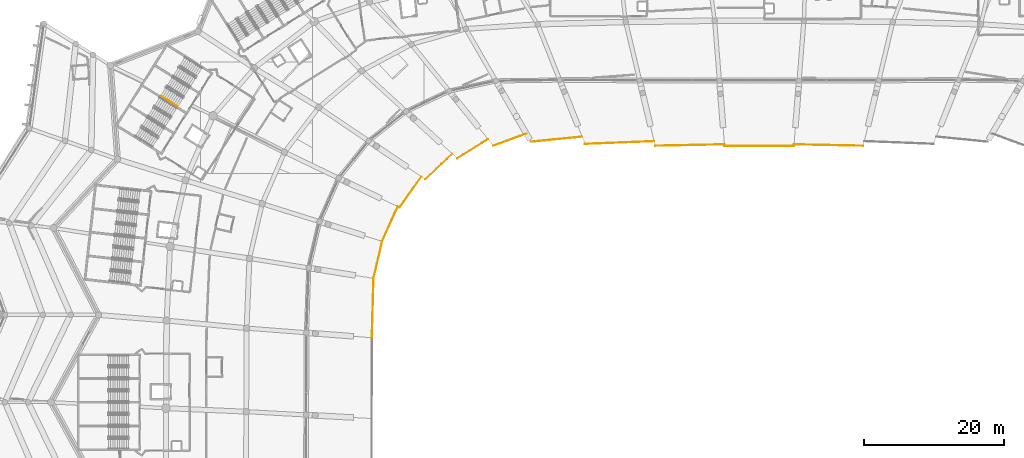
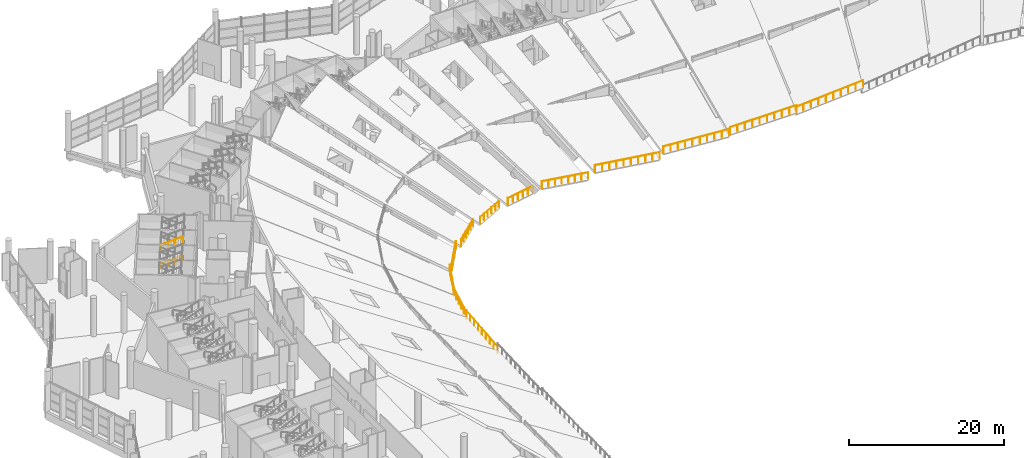
# One storey, part 233 of 249: 14 railings.
"""IFC4 building model written with IfcOpenShell, lengths in metres."""

from ifc_helpers import new_model, si_unit, direction, frame, origin, origin_2d, place, context, subcontext, project, spatial, circle, extrude, material, type_object, element, save


model = new_model("IFC4")

# Units and contexts
model_context = context("Model", 3, precision=1e-05, world=origin(), true_north=direction((0.0, 1.0)))
body_context = subcontext(model_context, "Body", "Model", "MODEL_VIEW")
ifc_project = project(units=[si_unit("LENGTHUNIT", "METRE"), si_unit("AREAUNIT", "SQUARE_METRE"), si_unit("VOLUMEUNIT", "CUBIC_METRE"), si_unit("PLANEANGLEUNIT", "RADIAN"), si_unit("MASSUNIT", "GRAM", prefix="KILO")], contexts=[model_context])

# Site, building, storey
site_placement = place(None, origin())
site = spatial("IfcSite", under=ifc_project, at=site_placement, CompositionType="ELEMENT")
building_placement = place(site_placement, origin())
building = spatial("IfcBuilding", under=site, at=building_placement, Name="Meseta Stadium", CompositionType="ELEMENT")
storey_placement = place(building_placement, frame((0.0, 0.0, 12.0)))
storey = spatial("IfcBuildingStorey", under=building, at=storey_placement, Name="L02", CompositionType="ELEMENT", Elevation=12.0)

# Railings
ifc_material_1 = material(Name="Steel S355", Category="steel")
railing_type_1 = type_object("IfcRailingType", Name="Stair handrail 900", PredefinedType="HANDRAIL", material=ifc_material_1)
for number, where, name in (
    (1, (-85.69921875, 75.121826171875, 1.64990234375), "ST54 L02 handrail 2"),
    (2, (-85.69921875, 75.121826171875, 4.64990234375), "ST54 L02 handrail 4"),
):
    element("IfcRailing", number, at=place(storey_placement, frame(where)), inside=storey, type_object=railing_type_1, Name=name, PredefinedType="HANDRAIL", context=body_context, shape_type="SweptSolid", body=[
        extrude(circle(Radius=0.02392578125, at=origin_2d()), frame((0.0, 0.0, 0.8759765625), z_axis=(0.766655447606, -0.481731036161, 0.424469826318), x_axis=(0.53203959143, 0.846719477248, 0.0)), (0.0, 0.0, 1.0), 3.1806640625),
        extrude(circle(Radius=0.02099609375, at=origin_2d()), origin(), (0.0, 0.0, 1.0), 0.851806640625),
        extrude(circle(Radius=0.02099609375, at=origin_2d()), frame((0.812744140625, -0.5107421875, 0.449951171875)), (0.0, 0.0, 1.0), 0.851806640625),
        extrude(circle(Radius=0.02099609375, at=origin_2d()), frame((1.625732421875, -1.021484375, 0.900146484375)), (0.0, 0.0, 1.0), 0.851806640625),
        extrude(circle(Radius=0.02099609375, at=origin_2d()), frame((2.4384765625, -1.5322265625, 1.35009765625)), (0.0, 0.0, 1.0), 0.851806640625),
    ])
ifc_material_2 = material(Name="Steel S355", Category="steel")
railing_type_2 = type_object("IfcRailingType", Name="Stand edge guard 1100", PredefinedType="GUARDRAIL", material=ifc_material_2)
railing_1_placement = place(storey_placement, frame((14.896484375, 67.964599609375, -0.5126953125)))
element("IfcRailing", 3, at=railing_1_placement, inside=storey, type_object=railing_type_2, Name="Stand upper tier front guard bay 18", PredefinedType="GUARDRAIL", context=body_context, shape_type="SweptSolid", body=[
    extrude(circle(Radius=0.02490234375, at=origin_2d()), frame((0.0, 0.0, 1.0751953125), z_axis=(-0.996151682581, 0.019794016887, -0.085381626747), x_axis=(-0.019866563188, -0.999802640358, 0.0)), (0.0, 0.0, 1.0), 9.95361328125),
    extrude(circle(Radius=0.02001953125, at=origin_2d()), origin(), (0.0, 0.0, 1.0), 1.050048828125),
    extrude(circle(Radius=0.02001953125, at=origin_2d()), frame((-1.101806640625, 0.02197265625, -0.094482421875)), (0.0, 0.0, 1.0), 1.050048828125),
    extrude(circle(Radius=0.02001953125, at=origin_2d()), frame((-2.203369140625, 0.043701171875, -0.18896484375)), (0.0, 0.0, 1.0), 1.050048828125),
    extrude(circle(Radius=0.02001953125, at=origin_2d()), frame((-3.30517578125, 0.065673828125, -0.283203125)), (0.0, 0.0, 1.0), 1.050048828125),
    extrude(circle(Radius=0.02001953125, at=origin_2d()), frame((-4.40673828125, 0.087646484375, -0.377685546875)), (0.0, 0.0, 1.0), 1.050048828125),
    extrude(circle(Radius=0.02001953125, at=origin_2d()), frame((-5.508544921875, 0.109375, -0.47216796875)), (0.0, 0.0, 1.0), 1.050048828125),
    extrude(circle(Radius=0.02001953125, at=origin_2d()), frame((-6.610107421875, 0.13134765625, -0.566650390625)), (0.0, 0.0, 1.0), 1.050048828125),
    extrude(circle(Radius=0.02001953125, at=origin_2d()), frame((-7.7119140625, 0.1533203125, -0.660888671875)), (0.0, 0.0, 1.0), 1.050048828125),
    extrude(circle(Radius=0.02001953125, at=origin_2d()), frame((-8.8134765625, 0.175048828125, -0.75537109375)), (0.0, 0.0, 1.0), 1.050048828125),
    extrude(circle(Radius=0.02001953125, at=origin_2d()), frame((-9.915283203125, 0.197021484375, -0.849853515625)), (0.0, 0.0, 1.0), 1.050048828125),
])
railing_2_placement = place(storey_placement, frame((4.962890625, 67.93310546875, -0.937744140625)))
element("IfcRailing", 4, at=railing_2_placement, inside=storey, type_object=railing_type_2, Name="Stand upper tier front guard bay 19", PredefinedType="GUARDRAIL", context=body_context, shape_type="SweptSolid", body=[
    extrude(circle(Radius=0.02490234375, at=origin_2d()), frame((0.0, 0.0, 1.0751953125), z_axis=(-1.0, 0.0, 0.0), x_axis=(0.0, -1.0, 0.0)), (0.0, 0.0, 1.0), 9.92578125),
    extrude(circle(Radius=0.02001953125, at=origin_2d()), origin(), (0.0, 0.0, 1.0), 1.050048828125),
    extrude(circle(Radius=0.02001953125, at=origin_2d()), frame((-1.102783203125, 0.0, 0.0)), (0.0, 0.0, 1.0), 1.050048828125),
    extrude(circle(Radius=0.02001953125, at=origin_2d()), frame((-2.205810546875, 0.0, 0.0)), (0.0, 0.0, 1.0), 1.050048828125),
    extrude(circle(Radius=0.02001953125, at=origin_2d()), frame((-3.30859375, 0.0, 0.0)), (0.0, 0.0, 1.0), 1.050048828125),
    extrude(circle(Radius=0.02001953125, at=origin_2d()), frame((-4.411376953125, 0.0, 0.0)), (0.0, 0.0, 1.0), 1.050048828125),
    extrude(circle(Radius=0.02001953125, at=origin_2d()), frame((-5.514404296875, 0.0, 0.0)), (0.0, 0.0, 1.0), 1.050048828125),
    extrude(circle(Radius=0.02001953125, at=origin_2d()), frame((-6.6171875, 0.0, 0.0)), (0.0, 0.0, 1.0), 1.050048828125),
    extrude(circle(Radius=0.02001953125, at=origin_2d()), frame((-7.719970703125, 0.0, 0.0)), (0.0, 0.0, 1.0), 1.050048828125),
    extrude(circle(Radius=0.02001953125, at=origin_2d()), frame((-8.822998046875, 0.0, 0.0)), (0.0, 0.0, 1.0), 1.050048828125),
    extrude(circle(Radius=0.02001953125, at=origin_2d()), frame((-9.92578125, 0.0, 0.0)), (0.0, 0.0, 1.0), 1.050048828125),
])
railing_3_placement = place(storey_placement, frame((-4.981201171875, 68.16162109375, -1.362548828125)))
element("IfcRailing", 5, at=railing_3_placement, inside=storey, type_object=railing_type_2, Name="Stand upper tier front guard bay 20", PredefinedType="GUARDRAIL", context=body_context, shape_type="SweptSolid", body=[
    extrude(circle(Radius=0.02490234375, at=origin_2d()), frame((0.0, 0.0, 1.0751953125), z_axis=(-0.996151682581, -0.019794016887, 0.085381626747), x_axis=(0.019866563188, -0.999802640358, 0.0)), (0.0, 0.0, 1.0), 9.95361328125),
    extrude(circle(Radius=0.02001953125, at=origin_2d()), origin(), (0.0, 0.0, 1.0), 1.050048828125),
    extrude(circle(Radius=0.02001953125, at=origin_2d()), frame((-1.101806640625, -0.02197265625, 0.094482421875)), (0.0, 0.0, 1.0), 1.050048828125),
    extrude(circle(Radius=0.02001953125, at=origin_2d()), frame((-2.203369140625, -0.043701171875, 0.18896484375)), (0.0, 0.0, 1.0), 1.050048828125),
    extrude(circle(Radius=0.02001953125, at=origin_2d()), frame((-3.30517578125, -0.065673828125, 0.283203125)), (0.0, 0.0, 1.0), 1.050048828125),
    extrude(circle(Radius=0.02001953125, at=origin_2d()), frame((-4.40673828125, -0.087646484375, 0.377685546875)), (0.0, 0.0, 1.0), 1.050048828125),
    extrude(circle(Radius=0.02001953125, at=origin_2d()), frame((-5.508544921875, -0.109375, 0.47216796875)), (0.0, 0.0, 1.0), 1.050048828125),
    extrude(circle(Radius=0.02001953125, at=origin_2d()), frame((-6.610107421875, -0.13134765625, 0.566650390625)), (0.0, 0.0, 1.0), 1.050048828125),
    extrude(circle(Radius=0.02001953125, at=origin_2d()), frame((-7.7119140625, -0.1533203125, 0.660888671875)), (0.0, 0.0, 1.0), 1.050048828125),
    extrude(circle(Radius=0.02001953125, at=origin_2d()), frame((-8.8134765625, -0.175048828125, 0.75537109375)), (0.0, 0.0, 1.0), 1.050048828125),
    extrude(circle(Radius=0.02001953125, at=origin_2d()), frame((-9.915283203125, -0.197021484375, 0.849853515625)), (0.0, 0.0, 1.0), 1.050048828125),
])
railing_4_placement = place(storey_placement, frame((-15.052001953125, 68.618408203125, -1.7578125)))
element("IfcRailing", 6, at=railing_4_placement, inside=storey, type_object=railing_type_2, Name="Stand upper tier front guard bay 21", PredefinedType="GUARDRAIL", context=body_context, shape_type="SweptSolid", body=[
    extrude(circle(Radius=0.02490234375, at=origin_2d()), frame((0.0, 0.0, 1.0751953125), z_axis=(-0.98577854443, -0.038283607684, 0.163630763378), x_axis=(0.038806657248, -0.999246737975, 0.0)), (0.0, 0.0, 1.0), 10.02490234375),
    extrude(circle(Radius=0.02001953125, at=origin_2d()), origin(), (0.0, 0.0, 1.0), 1.050048828125),
    extrude(circle(Radius=0.02001953125, at=origin_2d()), frame((-1.09814453125, -0.042724609375, 0.182373046875)), (0.0, 0.0, 1.0), 1.050048828125),
    extrude(circle(Radius=0.02001953125, at=origin_2d()), frame((-2.196044921875, -0.085205078125, 0.364501953125)), (0.0, 0.0, 1.0), 1.050048828125),
    extrude(circle(Radius=0.02001953125, at=origin_2d()), frame((-3.294189453125, -0.1279296875, 0.546875)), (0.0, 0.0, 1.0), 1.050048828125),
    extrude(circle(Radius=0.02001953125, at=origin_2d()), frame((-4.39208984375, -0.170654296875, 0.72900390625)), (0.0, 0.0, 1.0), 1.050048828125),
    extrude(circle(Radius=0.02001953125, at=origin_2d()), frame((-5.490234375, -0.213134765625, 0.911376953125)), (0.0, 0.0, 1.0), 1.050048828125),
    extrude(circle(Radius=0.02001953125, at=origin_2d()), frame((-6.588134765625, -0.255859375, 1.093505859375)), (0.0, 0.0, 1.0), 1.050048828125),
    extrude(circle(Radius=0.02001953125, at=origin_2d()), frame((-7.686279296875, -0.298583984375, 1.27587890625)), (0.0, 0.0, 1.0), 1.050048828125),
    extrude(circle(Radius=0.02001953125, at=origin_2d()), frame((-8.7841796875, -0.341064453125, 1.4580078125)), (0.0, 0.0, 1.0), 1.050048828125),
    extrude(circle(Radius=0.02001953125, at=origin_2d()), frame((-9.88232421875, -0.3837890625, 1.640380859375)), (0.0, 0.0, 1.0), 1.050048828125),
])
railing_5_placement = place(storey_placement, frame((-25.345703125, 69.27099609375, -1.735107421875)))
element("IfcRailing", 7, at=railing_5_placement, inside=storey, type_object=railing_type_2, Name="Stand upper tier front guard bay 22", PredefinedType="GUARDRAIL", context=body_context, shape_type="SweptSolid", body=[
    extrude(circle(Radius=0.02490234375, at=origin_2d()), frame((0.0, 0.0, 1.0751953125), z_axis=(-0.972509686186, -0.096881464205, 0.211751959067), x_axis=(0.099129377406, -0.995074553255, 0.0)), (0.0, 0.0, 1.0), 7.5322265625),
    extrude(circle(Radius=0.02001953125, at=origin_2d()), origin(), (0.0, 0.0, 1.0), 1.050048828125),
    extrude(circle(Radius=0.02001953125, at=origin_2d()), frame((-1.04638671875, -0.104248046875, 0.227783203125)), (0.0, 0.0, 1.0), 1.050048828125),
    extrude(circle(Radius=0.02001953125, at=origin_2d()), frame((-2.093017578125, -0.20849609375, 0.455810546875)), (0.0, 0.0, 1.0), 1.050048828125),
    extrude(circle(Radius=0.02001953125, at=origin_2d()), frame((-3.139404296875, -0.312744140625, 0.68359375)), (0.0, 0.0, 1.0), 1.050048828125),
    extrude(circle(Radius=0.02001953125, at=origin_2d()), frame((-4.185791015625, -0.4169921875, 0.911376953125)), (0.0, 0.0, 1.0), 1.050048828125),
    extrude(circle(Radius=0.02001953125, at=origin_2d()), frame((-5.232177734375, -0.521240234375, 1.13916015625)), (0.0, 0.0, 1.0), 1.050048828125),
    extrude(circle(Radius=0.02001953125, at=origin_2d()), frame((-6.27880859375, -0.62548828125, 1.3671875)), (0.0, 0.0, 1.0), 1.050048828125),
    extrude(circle(Radius=0.02001953125, at=origin_2d()), frame((-7.3251953125, -0.729736328125, 1.594970703125)), (0.0, 0.0, 1.0), 1.050048828125),
])
railing_6_placement = place(storey_placement, frame((-33.344482421875, 69.706298828125, -1.327880859375)))
element("IfcRailing", 8, at=railing_6_placement, inside=storey, type_object=railing_type_2, Name="Stand upper tier front guard bay 23", PredefinedType="GUARDRAIL", context=body_context, shape_type="SweptSolid", body=[
    extrude(circle(Radius=0.02490234375, at=origin_2d()), frame((0.0, 0.0, 1.0751953125), z_axis=(-0.927243693647, -0.341636295197, 0.153309407393), x_axis=(0.345723355199, -0.938336486379, 0.0)), (0.0, 0.0, 1.0), 5.089599609375),
    extrude(circle(Radius=0.02001953125, at=origin_2d()), origin(), (0.0, 0.0, 1.0), 1.050048828125),
    extrude(circle(Radius=0.02001953125, at=origin_2d()), frame((-0.94384765625, -0.34765625, 0.156005859375)), (0.0, 0.0, 1.0), 1.050048828125),
    extrude(circle(Radius=0.02001953125, at=origin_2d()), frame((-1.8876953125, -0.695556640625, 0.31201171875)), (0.0, 0.0, 1.0), 1.050048828125),
    extrude(circle(Radius=0.02001953125, at=origin_2d()), frame((-2.83154296875, -1.043212890625, 0.46826171875)), (0.0, 0.0, 1.0), 1.050048828125),
    extrude(circle(Radius=0.02001953125, at=origin_2d()), frame((-3.775390625, -1.39111328125, 0.624267578125)), (0.0, 0.0, 1.0), 1.050048828125),
    extrude(circle(Radius=0.02001953125, at=origin_2d()), frame((-4.71923828125, -1.73876953125, 0.7802734375)), (0.0, 0.0, 1.0), 1.050048828125),
])
railing_7_placement = place(storey_placement, frame((-38.831787109375, 68.919189453125, -1.256103515625)))
element("IfcRailing", 9, at=railing_7_placement, inside=storey, type_object=railing_type_2, Name="Stand upper tier front guard bay 24", PredefinedType="GUARDRAIL", context=body_context, shape_type="SweptSolid", body=[
    extrude(circle(Radius=0.02490234375, at=origin_2d()), frame((0.0, 0.0, 1.0751953125), z_axis=(-0.841818734537, -0.525827302755, 0.121847715862), x_axis=(0.52977475675, -0.848138377336, 0.0)), (0.0, 0.0, 1.0), 5.2275390625),
    extrude(circle(Radius=0.02001953125, at=origin_2d()), origin(), (0.0, 0.0, 1.0), 1.050048828125),
    extrude(circle(Radius=0.02001953125, at=origin_2d()), frame((-0.880126953125, -0.5498046875, 0.12744140625)), (0.0, 0.0, 1.0), 1.050048828125),
    extrude(circle(Radius=0.02001953125, at=origin_2d()), frame((-1.76025390625, -1.099609375, 0.2548828125)), (0.0, 0.0, 1.0), 1.050048828125),
    extrude(circle(Radius=0.02001953125, at=origin_2d()), frame((-2.640380859375, -1.649169921875, 0.382080078125)), (0.0, 0.0, 1.0), 1.050048828125),
    extrude(circle(Radius=0.02001953125, at=origin_2d()), frame((-3.5205078125, -2.198974609375, 0.509521484375)), (0.0, 0.0, 1.0), 1.050048828125),
    extrude(circle(Radius=0.02001953125, at=origin_2d()), frame((-4.400634765625, -2.748779296875, 0.636962890625)), (0.0, 0.0, 1.0), 1.050048828125),
])
railing_8_placement = place(storey_placement, frame((-43.945556640625, 66.822998046875, -1.17919921875)))
element("IfcRailing", 10, at=railing_8_placement, inside=storey, type_object=railing_type_2, Name="Stand upper tier front guard bay 25", PredefinedType="GUARDRAIL", context=body_context, shape_type="SweptSolid", body=[
    extrude(circle(Radius=0.02490234375, at=origin_2d()), frame((0.0, 0.0, 1.0751953125), z_axis=(-0.722775533546, -0.685136691221, 0.090461275965), x_axis=(0.687957334408, -0.7257511323, 0.0)), (0.0, 0.0, 1.0), 5.33837890625),
    extrude(circle(Radius=0.02001953125, at=origin_2d()), origin(), (0.0, 0.0, 1.0), 1.050048828125),
    extrude(circle(Radius=0.02001953125, at=origin_2d()), frame((-0.771728515625, -0.7314453125, 0.0966796875)), (0.0, 0.0, 1.0), 1.050048828125),
    extrude(circle(Radius=0.02001953125, at=origin_2d()), frame((-1.54345703125, -1.462890625, 0.193115234375)), (0.0, 0.0, 1.0), 1.050048828125),
    extrude(circle(Radius=0.02001953125, at=origin_2d()), frame((-2.31494140625, -2.194580078125, 0.289794921875)), (0.0, 0.0, 1.0), 1.050048828125),
    extrude(circle(Radius=0.02001953125, at=origin_2d()), frame((-3.086669921875, -2.926025390625, 0.38623046875)), (0.0, 0.0, 1.0), 1.050048828125),
    extrude(circle(Radius=0.02001953125, at=origin_2d()), frame((-3.8583984375, -3.657470703125, 0.48291015625)), (0.0, 0.0, 1.0), 1.050048828125),
])
railing_9_placement = place(storey_placement, frame((-48.37890625, 63.5537109375, -1.09814453125)))
element("IfcRailing", 11, at=railing_9_placement, inside=storey, type_object=railing_type_2, Name="Stand upper tier front guard bay 26", PredefinedType="GUARDRAIL", context=body_context, shape_type="SweptSolid", body=[
    extrude(circle(Radius=0.02490234375, at=origin_2d()), frame((0.0, 0.0, 1.0751953125), z_axis=(-0.576195436545, -0.815161782267, 0.059245992576), x_axis=(0.81659620423, -0.577209354773, 0.0)), (0.0, 0.0, 1.0), 5.4189453125),
    extrude(circle(Radius=0.02001953125, at=origin_2d()), origin(), (0.0, 0.0, 1.0), 1.050048828125),
    extrude(circle(Radius=0.02001953125, at=origin_2d()), frame((-0.62451171875, -0.883544921875, 0.064208984375)), (0.0, 0.0, 1.0), 1.050048828125),
    extrude(circle(Radius=0.02001953125, at=origin_2d()), frame((-1.2490234375, -1.766845703125, 0.12841796875)), (0.0, 0.0, 1.0), 1.050048828125),
    extrude(circle(Radius=0.02001953125, at=origin_2d()), frame((-1.873291015625, -2.650390625, 0.192626953125)), (0.0, 0.0, 1.0), 1.050048828125),
    extrude(circle(Radius=0.02001953125, at=origin_2d()), frame((-2.497802734375, -3.53369140625, 0.2568359375)), (0.0, 0.0, 1.0), 1.050048828125),
    extrude(circle(Radius=0.02001953125, at=origin_2d()), frame((-3.122314453125, -4.417236328125, 0.321044921875)), (0.0, 0.0, 1.0), 1.050048828125),
])
railing_10_placement = place(storey_placement, frame((-51.768310546875, 59.264892578125, -1.0146484375)))
element("IfcRailing", 12, at=railing_10_placement, inside=storey, type_object=railing_type_2, Name="Stand upper tier front guard bay 27", PredefinedType="GUARDRAIL", context=body_context, shape_type="SweptSolid", body=[
    extrude(circle(Radius=0.02490234375, at=origin_2d()), frame((0.0, 0.0, 1.0751953125), z_axis=(-0.408389514087, -0.912370036516, 0.028265195063), x_axis=(0.912734710946, -0.408552747432, 0.0)), (0.0, 0.0, 1.0), 5.4501953125),
    extrude(circle(Radius=0.02001953125, at=origin_2d()), origin(), (0.0, 0.0, 1.0), 1.050048828125),
    extrude(circle(Radius=0.02001953125, at=origin_2d()), frame((-0.445068359375, -0.99462890625, 0.03076171875)), (0.0, 0.0, 1.0), 1.050048828125),
    extrude(circle(Radius=0.02001953125, at=origin_2d()), frame((-0.890380859375, -1.989013671875, 0.0615234375)), (0.0, 0.0, 1.0), 1.050048828125),
    extrude(circle(Radius=0.02001953125, at=origin_2d()), frame((-1.33544921875, -2.983642578125, 0.092529296875)), (0.0, 0.0, 1.0), 1.050048828125),
    extrude(circle(Radius=0.02001953125, at=origin_2d()), frame((-1.78076171875, -3.97802734375, 0.123291015625)), (0.0, 0.0, 1.0), 1.050048828125),
    extrude(circle(Radius=0.02001953125, at=origin_2d()), frame((-2.225830078125, -4.97265625, 0.154052734375)), (0.0, 0.0, 1.0), 1.050048828125),
])
railing_11_placement = place(storey_placement, frame((-53.994140625, 54.292236328125, -0.929931640625)))
element("IfcRailing", 13, at=railing_11_placement, inside=storey, type_object=railing_type_2, Name="Stand upper tier front guard bay 28", PredefinedType="GUARDRAIL", context=body_context, shape_type="SweptSolid", body=[
    extrude(circle(Radius=0.02490234375, at=origin_2d()), frame((0.0, 0.0, 1.0751953125), z_axis=(-0.225264487262, -0.974293558319, -0.002823649562), x_axis=(0.974297442362, -0.225265385284, 0.0)), (0.0, 0.0, 1.0), 5.447265625),
    extrude(circle(Radius=0.02001953125, at=origin_2d()), origin(), (0.0, 0.0, 1.0), 1.050048828125),
    extrude(circle(Radius=0.02001953125, at=origin_2d()), frame((-0.245361328125, -1.0615234375, -0.003173828125)), (0.0, 0.0, 1.0), 1.050048828125),
    extrude(circle(Radius=0.02001953125, at=origin_2d()), frame((-0.49072265625, -2.122802734375, -0.006103515625)), (0.0, 0.0, 1.0), 1.050048828125),
    extrude(circle(Radius=0.02001953125, at=origin_2d()), frame((-0.736328125, -3.184326171875, -0.00927734375)), (0.0, 0.0, 1.0), 1.050048828125),
    extrude(circle(Radius=0.02001953125, at=origin_2d()), frame((-0.981689453125, -4.24560546875, -0.01220703125)), (0.0, 0.0, 1.0), 1.050048828125),
    extrude(circle(Radius=0.02001953125, at=origin_2d()), frame((-1.22705078125, -5.30712890625, -0.015380859375)), (0.0, 0.0, 1.0), 1.050048828125),
])
railing_12_placement = place(storey_placement, frame((-55.22119140625, 48.985107421875, -0.697509765625)))
element("IfcRailing", 14, at=railing_12_placement, inside=storey, type_object=railing_type_2, Name="Stand upper tier front guard bay 29", PredefinedType="GUARDRAIL", context=body_context, shape_type="SweptSolid", body=[
    extrude(circle(Radius=0.02490234375, at=origin_2d()), frame((0.0, 0.0, 1.0751953125), z_axis=(-0.027746765401, -0.998023634035, -0.056382115232), x_axis=(0.999613756303, -0.027790973522, 0.0)), (0.0, 0.0, 1.0), 8.517333984375),
    extrude(circle(Radius=0.02001953125, at=origin_2d()), origin(), (0.0, 0.0, 1.0), 1.050048828125),
    extrude(circle(Radius=0.02001953125, at=origin_2d()), frame((-0.029541015625, -1.0625, -0.06005859375)), (0.0, 0.0, 1.0), 1.050048828125),
    extrude(circle(Radius=0.02001953125, at=origin_2d()), frame((-0.05908203125, -2.125, -0.1201171875)), (0.0, 0.0, 1.0), 1.050048828125),
    extrude(circle(Radius=0.02001953125, at=origin_2d()), frame((-0.088623046875, -3.187744140625, -0.18017578125)), (0.0, 0.0, 1.0), 1.050048828125),
    extrude(circle(Radius=0.02001953125, at=origin_2d()), frame((-0.1181640625, -4.250244140625, -0.240234375)), (0.0, 0.0, 1.0), 1.050048828125),
    extrude(circle(Radius=0.02001953125, at=origin_2d()), frame((-0.147705078125, -5.312744140625, -0.300048828125)), (0.0, 0.0, 1.0), 1.050048828125),
    extrude(circle(Radius=0.02001953125, at=origin_2d()), frame((-0.17724609375, -6.37548828125, -0.360107421875)), (0.0, 0.0, 1.0), 1.050048828125),
    extrude(circle(Radius=0.02001953125, at=origin_2d()), frame((-0.206787109375, -7.43798828125, -0.420166015625)), (0.0, 0.0, 1.0), 1.050048828125),
    extrude(circle(Radius=0.02001953125, at=origin_2d()), frame((-0.236328125, -8.50048828125, -0.480224609375)), (0.0, 0.0, 1.0), 1.050048828125),
])

save(model, "model.ifc")
